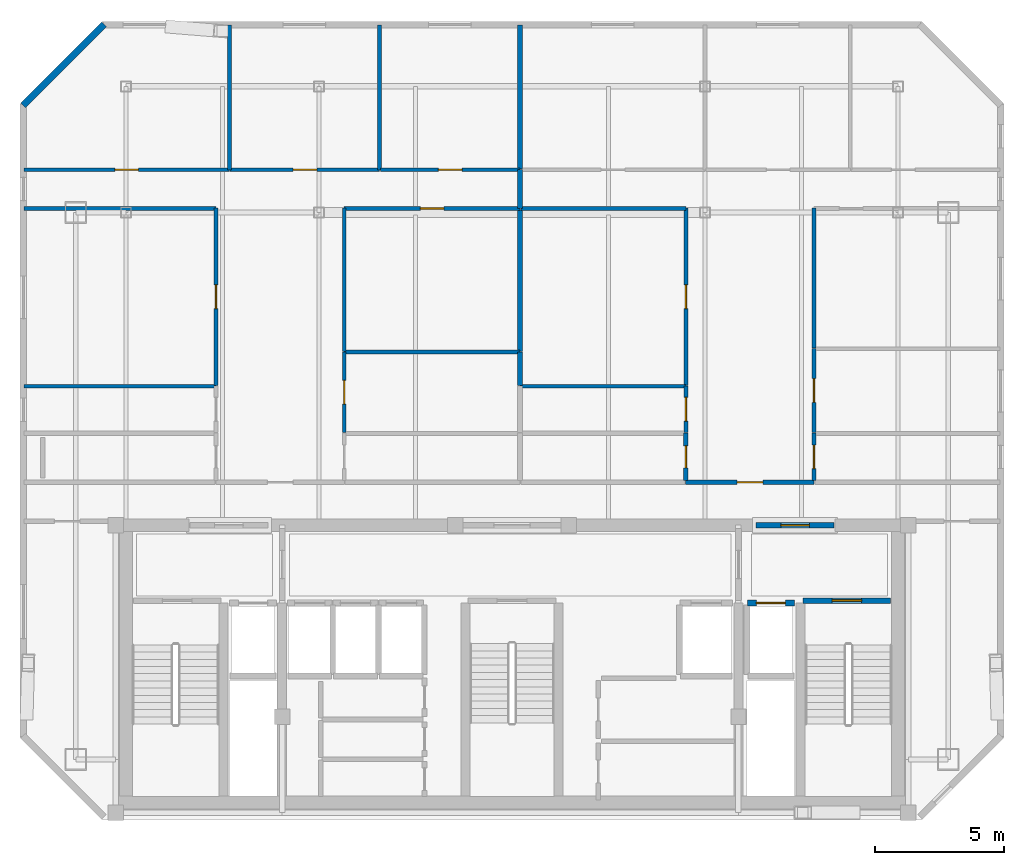
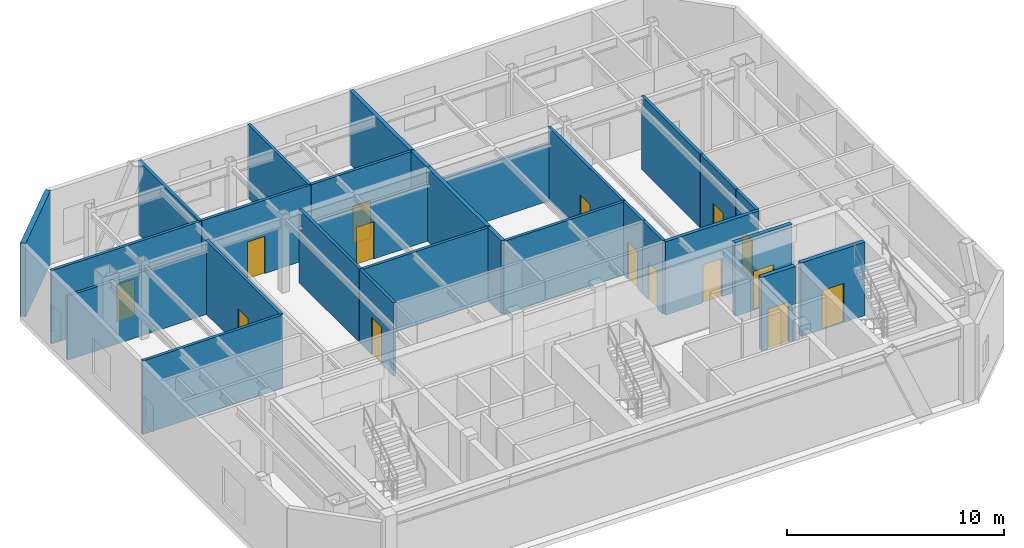
# One storey, part 4 of 7: 29 walls, 15 doors, 15 openings.
"""IFC4 building model written with IfcOpenShell, lengths in metres."""

from ifc_helpers import new_model, si_unit, direction, frame, frame_2d, origin, place, context, subcontext, project, spatial, rectangle, extrude, material, layer, layer_set, type_object, element, fill, save


model = new_model("IFC4")

# Units and contexts
model_context = context("Model", 3, precision=1e-05, world=origin(), true_north=direction((0.0, 1.0)))
body_context = subcontext(model_context, "Body", "Model", "MODEL_VIEW")
ifc_project = project(units=[si_unit("LENGTHUNIT", "METRE"), si_unit("AREAUNIT", "SQUARE_METRE"), si_unit("VOLUMEUNIT", "CUBIC_METRE"), si_unit("PLANEANGLEUNIT", "RADIAN"), si_unit("MASSUNIT", "GRAM", prefix="KILO")], contexts=[model_context])

# Site, building, storey
site_placement = place(None, origin())
site = spatial("IfcSite", under=ifc_project, at=site_placement, CompositionType="ELEMENT")
building_placement = place(site_placement, origin())
building = spatial("IfcBuilding", under=site, at=building_placement, Name="Ventersveld Concourse Tower", CompositionType="ELEMENT")
storey_placement = place(building_placement, frame((0.0, 0.0, 353.449951171875)))
storey = spatial("IfcBuildingStorey", under=building, at=storey_placement, Name="L87", CompositionType="ELEMENT", Elevation=353.449951171875)

# Wall, opening, door
ifc_material_1 = material(Name="Fire-rated autoclaved aerated masonry blockwork", Category="masonry")
ifc_layer_1 = layer(ifc_material_1, 0.179931640625)
ifc_layer_set_1 = layer_set([ifc_layer_1], Name="Fire-rated autoclaved aerated masonry blockwork")
wall_type_1 = type_object("IfcWallType", Name="WL-CORR-180", PredefinedType="PARTITIONING", material=ifc_layer_set_1)
wall_1_placement = place(storey_placement, frame((35.50048828125, 13.114990234375, 0.0), z_axis=(0.0, 0.0, 1.0), x_axis=(1.0, 0.0, 0.0)))
wall_1 = element("IfcWall", 1, at=wall_1_placement, inside=storey, type_object=wall_type_1, Name="L87 Interior Partition SP-L87-COR-SP-L87-87N2-LIV", PredefinedType="PARTITIONING", context=body_context, shape_type="SweptSolid", body=[
    extrude(rectangle(XDim=4.989990234375, YDim=0.179931640625, at=frame_2d((2.4951171875, 0.0))), origin(), (0.0, 0.0, 1.0), 4.14013671875),
])
opening_1_placement = place(wall_1_placement, frame((1.9951171875, 0.0, 0.0)))
opening_1 = element("IfcOpeningElement", 2, at=opening_1_placement, cuts=wall_1, Name="Opening FD3", PredefinedType="OPENING", context=body_context, shape_type="SweptSolid", body=[
    extrude(rectangle(XDim=1.0, YDim=2.14990234375, at=frame_2d((0.5, 1.074951171875))), frame((0.0, 0.10009765625, 0.0), z_axis=(0.0, -1.0, 0.0), x_axis=(1.0, 0.0, 0.0)), (0.0, 0.0, 1.0), 0.199951171875),
])
ifc_material_2 = material(Name="Solid-core hardwood veneer timber", Category="wood")
door_type_1 = type_object("IfcDoorType", Name="DR-FLAT-100", OperationType="NOTDEFINED", PredefinedType="DOOR", material=ifc_material_2)
door_1_placement = place(opening_1_placement, origin())
door_1 = element("IfcDoor", 3, at=door_1_placement, inside=storey, type_object=door_type_1, Name="L87 Interior Door SP-L87-COR to SP-L87-87N2-LIV (FD-L87-3880)", OperationType="SINGLE_SWING_RIGHT", OverallHeight=2.14990234375, OverallWidth=1.0, PredefinedType="DOOR", context=body_context, shape_type="SweptSolid", body=[
    extrude(rectangle(XDim=1.0, YDim=2.14990234375, at=frame_2d((0.5, 1.074951171875))), frame((0.0, 0.02490234375, 0.0), z_axis=(0.0, -1.0, 0.0), x_axis=(1.0, 0.0, 0.0)), (0.0, 0.0, 1.0), 0.050048828125),
])
fill(opening_1, door_1)

# Walls
ifc_layer_2 = layer(ifc_material_1, 0.199951171875)
ifc_layer_set_2 = layer_set([ifc_layer_2], Name="Fire-rated autoclaved aerated masonry blockwork")
wall_type_2 = type_object("IfcWallType", Name="WL-DEMISE-200", PredefinedType="PARTITIONING", material=ifc_layer_set_2)
wall_2_placement = place(storey_placement, frame((29.06201171875, 23.756103515625, 0.0), z_axis=(0.0, 0.0, 1.0), x_axis=(0.0, 1.0, 0.0)))
element("IfcWall", 4, at=wall_2_placement, inside=storey, type_object=wall_type_2, Name="L87 Interior Partition SP-L87-87N1-LIV-SP-L87-87N2-LIV", PredefinedType="PARTITIONING", context=body_context, shape_type="SweptSolid", body=[
    extrude(rectangle(XDim=1.510009765625, YDim=0.199951171875, at=frame_2d((0.7548828125, 0.0))), origin(), (0.0, 0.0, 1.0), 4.14013671875),
])
wall_3_placement = place(storey_placement, frame((29.06201171875, 16.885009765625, 0.0), z_axis=(0.0, 0.0, 1.0), x_axis=(0.0, 1.0, 0.0)))
element("IfcWall", 5, at=wall_3_placement, inside=storey, type_object=wall_type_2, Name="L87 Interior Partition SP-L87-87N1-MEDR1-SP-L87-87N2-DENL", PredefinedType="PARTITIONING", context=body_context, shape_type="SweptSolid", body=[
    extrude(rectangle(XDim=1.29345703125, YDim=0.199951171875, at=frame_2d((0.646728515625, 0.0))), origin(), (0.0, 0.0, 1.0), 4.14013671875),
])
wall_4_placement = place(storey_placement, frame((29.06201171875, 18.20849609375, 0.0), z_axis=(0.0, 0.0, 1.0), x_axis=(0.0, 1.0, 0.0)))
element("IfcWall", 6, at=wall_4_placement, inside=storey, type_object=wall_type_2, Name="L87 Interior Partition SP-L87-87N1-DENS-SP-L87-87N2-DENL", PredefinedType="PARTITIONING", context=body_context, shape_type="SweptSolid", body=[
    extrude(rectangle(XDim=5.517822265625, YDim=0.199951171875, at=frame_2d((2.7587890625, 0.0))), origin(), (0.0, 0.0, 1.0), 4.14013671875),
])
wall_5_placement = place(storey_placement, frame((29.06201171875, 25.296142578125, 0.0), z_axis=(0.0, 0.0, 1.0), x_axis=(0.0, 1.0, 0.0)))
element("IfcWall", 7, at=wall_5_placement, inside=storey, type_object=wall_type_2, Name="L87 Interior Partition SP-L87-87N1-BR3-SP-L87-87N2-BR1", PredefinedType="PARTITIONING", context=body_context, shape_type="SweptSolid", body=[
    extrude(rectangle(XDim=5.58544921875, YDim=0.199951171875, at=frame_2d((2.792724609375, 0.0))), origin(), (0.0, 0.0, 1.0), 4.14013671875),
])

# Wall, opening, door
ifc_layer_3 = layer(ifc_material_1, 0.219970703125)
ifc_layer_set_3 = layer_set([ifc_layer_3], Name="Fire-rated autoclaved aerated masonry blockwork")
wall_type_3 = type_object("IfcWallType", Name="WL-HOIST-220", PredefinedType="SOLIDWALL", material=ifc_layer_set_3)
wall_6_placement = place(storey_placement, frame((37.89990234375, 8.429931640625, 0.0), z_axis=(0.0, 0.0, 1.0), x_axis=(1.0, 0.0, 0.0)))
wall_6 = element("IfcWall", 8, at=wall_6_placement, inside=storey, type_object=wall_type_3, Name="L87 Lift Hoistway Front Wall FFL-02", PredefinedType="SOLIDWALL", context=body_context, shape_type="SweptSolid", body=[
    extrude(rectangle(XDim=1.820068359375, YDim=0.219970703125, at=frame_2d((0.91015625, 0.0))), origin(), (0.0, 0.0, 1.0), 4.14013671875),
])
opening_2_placement = place(wall_6_placement, frame((0.35009765625, 0.0, 0.0)))
opening_2 = element("IfcOpeningElement", 9, at=opening_2_placement, cuts=wall_6, Name="Opening LD1", PredefinedType="OPENING", context=body_context, shape_type="SweptSolid", body=[
    extrude(rectangle(XDim=1.1201171875, YDim=2.25, at=frame_2d((0.56005859375, 1.125))), frame((0.0, 0.1201171875, 0.0), z_axis=(0.0, -1.0, 0.0), x_axis=(1.0, 0.0, 0.0)), (0.0, 0.0, 1.0), 0.239990234375),
])
ifc_material_3 = material(Name="Brushed stainless steel 316", Category="steel")
door_type_2 = type_object("IfcDoorType", Name="LD-FF-112", OperationType="SLIDING_TO_LEFT", PredefinedType="DOOR", material=ifc_material_3)
door_2_placement = place(opening_2_placement, origin())
door_2 = element("IfcDoor", 10, at=door_2_placement, inside=storey, type_object=door_type_2, Name="L87 Lift landing door FFL-02 (LD-L87-FFL-02)", OperationType="SLIDING_TO_LEFT", OverallHeight=2.25, OverallWidth=1.1201171875, PredefinedType="DOOR", context=body_context, shape_type="SweptSolid", body=[
    extrude(rectangle(XDim=1.1201171875, YDim=2.25, at=frame_2d((0.56005859375, 1.125))), frame((0.0, 0.02490234375, 0.0), z_axis=(0.0, -1.0, 0.0), x_axis=(1.0, 0.0, 0.0)), (0.0, 0.0, 1.0), 0.050048828125),
])
fill(opening_2, door_2)

wall_7_placement = place(storey_placement, frame((40.06005859375, 8.52001953125, 0.0), z_axis=(0.0, 0.0, 1.0), x_axis=(1.0, 0.0, 0.0)))
wall_7 = element("IfcWall", 11, at=wall_7_placement, inside=storey, type_object=wall_type_3, Name="L87 Escape Stair ST02 Fire Wall", PredefinedType="SOLIDWALL", context=body_context, shape_type="SweptSolid", body=[
    extrude(rectangle(XDim=3.39990234375, YDim=0.219970703125, at=frame_2d((1.699951171875, 0.0))), origin(), (0.0, 0.0, 1.0), 4.14013671875),
])
opening_3_placement = place(wall_7_placement, frame((1.125, 0.0, 0.0)))
opening_3 = element("IfcOpeningElement", 12, at=opening_3_placement, cuts=wall_7, Name="Opening FD1", PredefinedType="OPENING", context=body_context, shape_type="SweptSolid", body=[
    extrude(rectangle(XDim=1.14990234375, YDim=2.199951171875, at=frame_2d((0.574951171875, 1.10009765625))), frame((0.0, 0.1201171875, 0.0), z_axis=(0.0, -1.0, 0.0), x_axis=(1.0, 0.0, 0.0)), (0.0, 0.0, 1.0), 0.239990234375),
])
ifc_material_4 = material(Name="Galvanised painted steel", Category="steel")
door_type_3 = type_object("IfcDoorType", Name="DR-STAIR-115", OperationType="NOTDEFINED", PredefinedType="DOOR", material=ifc_material_4)
door_3_placement = place(opening_3_placement, origin())
door_3 = element("IfcDoor", 13, at=door_3_placement, inside=storey, type_object=door_type_3, Name="L87 Escape Stair Door ST02 (SD-L87-3865)", OperationType="SINGLE_SWING_RIGHT", OverallHeight=2.199951171875, OverallWidth=1.14990234375, PredefinedType="DOOR", context=body_context, shape_type="SweptSolid", body=[
    extrude(rectangle(XDim=1.14990234375, YDim=2.199951171875, at=frame_2d((0.574951171875, 1.10009765625))), frame((0.0, 0.02490234375, 0.0), z_axis=(0.0, -1.0, 0.0), x_axis=(1.0, 0.0, 0.0)), (0.0, 0.0, 1.0), 0.050048828125),
])
fill(opening_3, door_3)

wall_8_placement = place(storey_placement, frame((38.22998046875, 11.449951171875, 0.0), z_axis=(0.0, 0.0, 1.0), x_axis=(1.0, 0.0, 0.0)))
wall_8 = element("IfcWall", 14, at=wall_8_placement, inside=storey, type_object=wall_type_3, Name="L87 Core North Fire Portal FFLE-OUT", PredefinedType="SOLIDWALL", context=body_context, shape_type="SweptSolid", body=[
    extrude(rectangle(XDim=3.0400390625, YDim=0.219970703125, at=frame_2d((1.52001953125, 0.0))), origin(), (0.0, 0.0, 1.0), 4.14013671875),
])
opening_4_placement = place(wall_8_placement, frame((0.969970703125, 0.0, 0.0)))
opening_4 = element("IfcOpeningElement", 15, at=opening_4_placement, cuts=wall_8, Name="Opening FD2", PredefinedType="OPENING", context=body_context, shape_type="SweptSolid", body=[
    extrude(rectangle(XDim=1.10009765625, YDim=2.199951171875, at=frame_2d((0.550048828125, 1.10009765625))), frame((0.0, 0.1201171875, 0.0), z_axis=(0.0, -1.0, 0.0), x_axis=(1.0, 0.0, 0.0)), (0.0, 0.0, 1.0), 0.239990234375),
])
door_type_4 = type_object("IfcDoorType", Name="DR-FFL-110", OperationType="NOTDEFINED", PredefinedType="DOOR", material=ifc_material_4)
door_4_placement = place(opening_4_placement, origin())
door_4 = element("IfcDoor", 16, at=door_4_placement, inside=storey, type_object=door_type_4, Name="L87 Core Lobby Fire Door FFLE-OUT (FD-L87-3871)", OperationType="SINGLE_SWING_LEFT", OverallHeight=2.199951171875, OverallWidth=1.10009765625, PredefinedType="DOOR", context=body_context, shape_type="SweptSolid", body=[
    extrude(rectangle(XDim=1.10009765625, YDim=2.199951171875, at=frame_2d((0.550048828125, 1.10009765625))), frame((0.0, 0.02490234375, 0.0), z_axis=(0.0, -1.0, 0.0), x_axis=(1.0, 0.0, 0.0)), (0.0, 0.0, 1.0), 0.050048828125),
])
fill(opening_4, door_4)

ifc_material_5 = material(Name="Autoclaved aerated masonry blockwork", Category="masonry")
ifc_layer_4 = layer(ifc_material_5, 0.14990234375)
ifc_layer_set_4 = layer_set([ifc_layer_4], Name="Autoclaved aerated masonry blockwork")
wall_type_4 = type_object("IfcWallType", Name="WL-INT-150", PredefinedType="PARTITIONING", material=ifc_layer_set_4)
wall_9_placement = place(storey_placement, frame((17.25244140625, 16.885009765625, 0.0), z_axis=(0.0, 0.0, 1.0), x_axis=(0.0, 1.0, 0.0)))
wall_9 = element("IfcWall", 17, at=wall_9_placement, inside=storey, type_object=wall_type_4, Name="L87 Interior Partition SP-L87-87N1-LIV-SP-L87-87N1-DENL", PredefinedType="PARTITIONING", context=body_context, shape_type="SweptSolid", body=[
    extrude(rectangle(XDim=6.881103515625, YDim=0.14990234375, at=frame_2d((3.4404296875, 0.0))), origin(), (0.0, 0.0, 1.0), 4.14013671875),
])
opening_5_placement = place(wall_9_placement, frame((2.980712890625, 0.0, 0.0)))
opening_5 = element("IfcOpeningElement", 18, at=opening_5_placement, cuts=wall_9, Name="Opening ID1", PredefinedType="OPENING", context=body_context, shape_type="SweptSolid", body=[
    extrude(rectangle(XDim=0.919921875, YDim=2.10009765625, at=frame_2d((0.4599609375, 1.050048828125))), frame((0.0, 0.0849609375, 0.0), z_axis=(0.0, -1.0, 0.0), x_axis=(1.0, 0.0, 0.0)), (0.0, 0.0, 1.0), 0.169921875),
])
door_type_5 = type_object("IfcDoorType", Name="DR-ROOM-092", OperationType="NOTDEFINED", PredefinedType="DOOR", material=ifc_material_2)
door_5_placement = place(opening_5_placement, origin())
door_5 = element("IfcDoor", 19, at=door_5_placement, inside=storey, type_object=door_type_5, Name="L87 Interior Door SP-L87-87N1-LIV to SP-L87-87N1-DENL (D-L87-3883)", OperationType="SINGLE_SWING_LEFT", OverallHeight=2.10009765625, OverallWidth=0.919921875, PredefinedType="DOOR", context=body_context, shape_type="SweptSolid", body=[
    extrude(rectangle(XDim=0.919921875, YDim=2.10009765625, at=frame_2d((0.4599609375, 1.050048828125))), frame((0.0, 0.02490234375, 0.0), z_axis=(0.0, -1.0, 0.0), x_axis=(1.0, 0.0, 0.0)), (0.0, 0.0, 1.0), 0.050048828125),
])
fill(opening_5, door_5)

# Wall
wall_10_placement = place(storey_placement, frame((9.7822265625, 23.76123046875, 0.0), z_axis=(0.0, 0.0, 1.0), x_axis=(1.0, 0.0, 0.0)))
element("IfcWall", 20, at=wall_10_placement, inside=storey, type_object=wall_type_4, Name="L87 Interior Partition SP-L87-87N1-LIV-SP-L87-87N1-DENL", PredefinedType="PARTITIONING", context=body_context, shape_type="SweptSolid", body=[
    extrude(rectangle(XDim=7.475341796875, YDim=0.14990234375, at=frame_2d((3.73779296875, 0.0))), origin(), (0.0, 0.0, 1.0), 3.60693359375),
])

# Wall, opening, door
wall_11_placement = place(storey_placement, frame((22.232421875, 15.054931640625, 0.0), z_axis=(0.0, 0.0, 1.0), x_axis=(0.0, 1.0, 0.0)))
wall_11 = element("IfcWall", 21, at=wall_11_placement, inside=storey, type_object=wall_type_4, Name="L87 Interior Partition SP-L87-87N1-LIV-SP-L87-87N1-MEDR1", PredefinedType="PARTITIONING", context=body_context, shape_type="SweptSolid", body=[
    extrude(rectangle(XDim=3.12353515625, YDim=0.14990234375, at=frame_2d((1.561767578125, 0.0))), origin(), (0.0, 0.0, 1.0), 4.14013671875),
])
opening_6_placement = place(wall_11_placement, frame((1.101806640625, 0.0, 0.0)))
opening_6 = element("IfcOpeningElement", 22, at=opening_6_placement, cuts=wall_11, Name="Opening ID1", PredefinedType="OPENING", context=body_context, shape_type="SweptSolid", body=[
    extrude(rectangle(XDim=0.919921875, YDim=2.10009765625, at=frame_2d((0.4599609375, 1.050048828125))), frame((0.0, 0.0849609375, 0.0), z_axis=(0.0, -1.0, 0.0), x_axis=(1.0, 0.0, 0.0)), (0.0, 0.0, 1.0), 0.169921875),
])
door_6_placement = place(opening_6_placement, origin())
door_6 = element("IfcDoor", 23, at=door_6_placement, inside=storey, type_object=door_type_5, Name="L87 Interior Door SP-L87-87N1-LIV to SP-L87-87N1-MEDR1 (D-L87-3885)", OperationType="SINGLE_SWING_LEFT", OverallHeight=2.10009765625, OverallWidth=0.919921875, PredefinedType="DOOR", context=body_context, shape_type="SweptSolid", body=[
    extrude(rectangle(XDim=0.919921875, YDim=2.10009765625, at=frame_2d((0.4599609375, 1.050048828125))), frame((0.0, 0.02490234375, 0.0), z_axis=(0.0, -1.0, 0.0), x_axis=(1.0, 0.0, 0.0)), (0.0, 0.0, 1.0), 0.050048828125),
])
fill(opening_6, door_6)

wall_12_placement = place(storey_placement, frame((22.2275390625, 23.76123046875, 0.0), z_axis=(0.0, 0.0, 1.0), x_axis=(1.0, 0.0, 0.0)))
wall_12 = element("IfcWall", 24, at=wall_12_placement, inside=storey, type_object=wall_type_4, Name="L87 Interior Partition SP-L87-87N1-LIV-SP-L87-87N1-DENS", PredefinedType="PARTITIONING", context=body_context, shape_type="SweptSolid", body=[
    extrude(rectangle(XDim=6.839599609375, YDim=0.14990234375, at=frame_2d((3.419921875, 0.0))), origin(), (0.0, 0.0, 1.0), 3.239990234375),
])
opening_7_placement = place(wall_12_placement, frame((2.959716796875, 0.0, 0.0)))
opening_7 = element("IfcOpeningElement", 25, at=opening_7_placement, cuts=wall_12, Name="Opening ID1", PredefinedType="OPENING", context=body_context, shape_type="SweptSolid", body=[
    extrude(rectangle(XDim=0.919921875, YDim=2.10009765625, at=frame_2d((0.4599609375, 1.050048828125))), frame((0.0, 0.0849609375, 0.0), z_axis=(0.0, -1.0, 0.0), x_axis=(1.0, 0.0, 0.0)), (0.0, 0.0, 1.0), 0.169921875),
])
door_7_placement = place(opening_7_placement, origin())
door_7 = element("IfcDoor", 26, at=door_7_placement, inside=storey, type_object=door_type_5, Name="L87 Interior Door SP-L87-87N1-LIV to SP-L87-87N1-DENS (D-L87-3886)", OperationType="SINGLE_SWING_RIGHT", OverallHeight=2.10009765625, OverallWidth=0.919921875, PredefinedType="DOOR", context=body_context, shape_type="SweptSolid", body=[
    extrude(rectangle(XDim=0.919921875, YDim=2.10009765625, at=frame_2d((0.4599609375, 1.050048828125))), frame((0.0, 0.02490234375, 0.0), z_axis=(0.0, -1.0, 0.0), x_axis=(1.0, 0.0, 0.0)), (0.0, 0.0, 1.0), 0.050048828125),
])
fill(opening_7, door_7)

# Wall
wall_13_placement = place(storey_placement, frame((22.232421875, 18.20849609375, 0.0), z_axis=(0.0, 0.0, 1.0), x_axis=(0.0, 1.0, 0.0)))
element("IfcWall", 27, at=wall_13_placement, inside=storey, type_object=wall_type_4, Name="L87 Interior Partition SP-L87-87N1-LIV-SP-L87-87N1-DENS", PredefinedType="PARTITIONING", context=body_context, shape_type="SweptSolid", body=[
    extrude(rectangle(XDim=5.5576171875, YDim=0.14990234375, at=frame_2d((2.77880859375, 0.0))), origin(), (0.0, 0.0, 1.0), 4.14013671875),
])

# Wall, opening, door
wall_14_placement = place(storey_placement, frame((9.7822265625, 25.26123046875, 0.0), z_axis=(0.0, 0.0, 1.0), x_axis=(1.0, 0.0, 0.0)))
wall_14 = element("IfcWall", 28, at=wall_14_placement, inside=storey, type_object=wall_type_4, Name="L87 Interior Partition SP-L87-87N1-LIV-SP-L87-87N1-BR1", PredefinedType="PARTITIONING", context=body_context, shape_type="SweptSolid", body=[
    extrude(rectangle(XDim=7.989990234375, YDim=0.14990234375, at=frame_2d((3.9951171875, 0.0))), origin(), (0.0, 0.0, 1.0), 4.14013671875),
])
opening_8_placement = place(wall_14_placement, frame((3.534912109375, 0.0, 0.0)))
opening_8 = element("IfcOpeningElement", 29, at=opening_8_placement, cuts=wall_14, Name="Opening ID1", PredefinedType="OPENING", context=body_context, shape_type="SweptSolid", body=[
    extrude(rectangle(XDim=0.919921875, YDim=2.10009765625, at=frame_2d((0.4599609375, 1.050048828125))), frame((0.0, 0.0849609375, 0.0), z_axis=(0.0, -1.0, 0.0), x_axis=(1.0, 0.0, 0.0)), (0.0, 0.0, 1.0), 0.169921875),
])
door_8_placement = place(opening_8_placement, origin())
door_8 = element("IfcDoor", 30, at=door_8_placement, inside=storey, type_object=door_type_5, Name="L87 Interior Door SP-L87-87N1-LIV to SP-L87-87N1-BR1 (D-L87-3887)", OperationType="SINGLE_SWING_LEFT", OverallHeight=2.10009765625, OverallWidth=0.919921875, PredefinedType="DOOR", context=body_context, shape_type="SweptSolid", body=[
    extrude(rectangle(XDim=0.919921875, YDim=2.10009765625, at=frame_2d((0.4599609375, 1.050048828125))), frame((0.0, 0.02490234375, 0.0), z_axis=(0.0, -1.0, 0.0), x_axis=(1.0, 0.0, 0.0)), (0.0, 0.0, 1.0), 0.050048828125),
])
fill(opening_8, door_8)

wall_15_placement = place(storey_placement, frame((17.802001953125, 25.26123046875, 0.0), z_axis=(0.0, 0.0, 1.0), x_axis=(1.0, 0.0, 0.0)))
wall_15 = element("IfcWall", 31, at=wall_15_placement, inside=storey, type_object=wall_type_4, Name="L87 Interior Partition SP-L87-87N1-LIV-SP-L87-87N1-BR2", PredefinedType="PARTITIONING", context=body_context, shape_type="SweptSolid", body=[
    extrude(rectangle(XDim=5.80615234375, YDim=0.14990234375, at=frame_2d((2.903076171875, 0.0))), origin(), (0.0, 0.0, 1.0), 4.14013671875),
])
opening_9_placement = place(wall_15_placement, frame((2.443115234375, 0.0, 0.0)))
opening_9 = element("IfcOpeningElement", 32, at=opening_9_placement, cuts=wall_15, Name="Opening ID1", PredefinedType="OPENING", context=body_context, shape_type="SweptSolid", body=[
    extrude(rectangle(XDim=0.919921875, YDim=2.10009765625, at=frame_2d((0.4599609375, 1.050048828125))), frame((0.0, 0.0849609375, 0.0), z_axis=(0.0, -1.0, 0.0), x_axis=(1.0, 0.0, 0.0)), (0.0, 0.0, 1.0), 0.169921875),
])
door_9_placement = place(opening_9_placement, origin())
door_9 = element("IfcDoor", 33, at=door_9_placement, inside=storey, type_object=door_type_5, Name="L87 Interior Door SP-L87-87N1-LIV to SP-L87-87N1-BR2 (D-L87-3888)", OperationType="SINGLE_SWING_RIGHT", OverallHeight=2.10009765625, OverallWidth=0.919921875, PredefinedType="DOOR", context=body_context, shape_type="SweptSolid", body=[
    extrude(rectangle(XDim=0.919921875, YDim=2.10009765625, at=frame_2d((0.4599609375, 1.050048828125))), frame((0.0, 0.02490234375, 0.0), z_axis=(0.0, -1.0, 0.0), x_axis=(1.0, 0.0, 0.0)), (0.0, 0.0, 1.0), 0.050048828125),
])
fill(opening_9, door_9)

wall_16_placement = place(storey_placement, frame((23.63818359375, 25.26123046875, 0.0), z_axis=(0.0, 0.0, 1.0), x_axis=(1.0, 0.0, 0.0)))
wall_16 = element("IfcWall", 34, at=wall_16_placement, inside=storey, type_object=wall_type_4, Name="L87 Interior Partition SP-L87-87N1-LIV-SP-L87-87N1-BR3", PredefinedType="PARTITIONING", context=body_context, shape_type="SweptSolid", body=[
    extrude(rectangle(XDim=5.428955078125, YDim=0.14990234375, at=frame_2d((2.71435546875, 0.0))), origin(), (0.0, 0.0, 1.0), 4.14013671875),
])
opening_10_placement = place(wall_16_placement, frame((2.25439453125, 0.0, 0.0)))
opening_10 = element("IfcOpeningElement", 35, at=opening_10_placement, cuts=wall_16, Name="Opening ID1", PredefinedType="OPENING", context=body_context, shape_type="SweptSolid", body=[
    extrude(rectangle(XDim=0.919921875, YDim=2.10009765625, at=frame_2d((0.4599609375, 1.050048828125))), frame((0.0, 0.0849609375, 0.0), z_axis=(0.0, -1.0, 0.0), x_axis=(1.0, 0.0, 0.0)), (0.0, 0.0, 1.0), 0.169921875),
])
door_10_placement = place(opening_10_placement, origin())
door_10 = element("IfcDoor", 36, at=door_10_placement, inside=storey, type_object=door_type_5, Name="L87 Interior Door SP-L87-87N1-LIV to SP-L87-87N1-BR3 (D-L87-3889)", OperationType="SINGLE_SWING_LEFT", OverallHeight=2.10009765625, OverallWidth=0.919921875, PredefinedType="DOOR", context=body_context, shape_type="SweptSolid", body=[
    extrude(rectangle(XDim=0.919921875, YDim=2.10009765625, at=frame_2d((0.4599609375, 1.050048828125))), frame((0.0, 0.02490234375, 0.0), z_axis=(0.0, -1.0, 0.0), x_axis=(1.0, 0.0, 0.0)), (0.0, 0.0, 1.0), 0.050048828125),
])
fill(opening_10, door_10)

# Walls
wall_17_placement = place(storey_placement, frame((9.7822265625, 16.85009765625, 0.0), z_axis=(0.0, 0.0, 1.0), x_axis=(1.0, 0.0, 0.0)))
element("IfcWall", 37, at=wall_17_placement, inside=storey, type_object=wall_type_4, Name="L87 Interior Partition SP-L87-87N1-PANL0-SP-L87-87N1-DENL", PredefinedType="PARTITIONING", context=body_context, shape_type="SweptSolid", body=[
    extrude(rectangle(XDim=7.475341796875, YDim=0.14990234375, at=frame_2d((3.73779296875, 0.0))), origin(), (0.0, 0.0, 1.0), 4.14013671875),
])
wall_18_placement = place(storey_placement, frame((22.2275390625, 18.17333984375, 0.0), z_axis=(0.0, 0.0, 1.0), x_axis=(1.0, 0.0, 0.0)))
element("IfcWall", 38, at=wall_18_placement, inside=storey, type_object=wall_type_4, Name="L87 Interior Partition SP-L87-87N1-MEDR1-SP-L87-87N1-DENS", PredefinedType="PARTITIONING", context=body_context, shape_type="SweptSolid", body=[
    extrude(rectangle(XDim=6.839599609375, YDim=0.14990234375, at=frame_2d((3.419921875, 0.0))), origin(), (0.0, 0.0, 1.0), 4.14013671875),
])
for number, where, z_axis, x_axis, name in (
    (39, (17.76708984375, 25.256103515625, 0.0), (0.0, 0.0, 1.0), (0.0, 1.0, 0.0), "L87 Interior Partition SP-L87-87N1-BR1-SP-L87-87N1-BR2"),
    (40, (23.60302734375, 25.256103515625, 0.0), (0.0, 0.0, 1.0), (0.0, 1.0, 0.0), "L87 Interior Partition SP-L87-87N1-BR2-SP-L87-87N1-BR3"),
):
    element("IfcWall", number, at=place(storey_placement, frame(where, z_axis=z_axis, x_axis=x_axis)), inside=storey, type_object=wall_type_4, Name=name, PredefinedType="PARTITIONING", context=body_context, shape_type="SweptSolid", body=[
        extrude(rectangle(XDim=5.62548828125, YDim=0.14990234375, at=frame_2d((2.812744140625, 0.0))), origin(), (0.0, 0.0, 1.0), 4.14013671875),
    ])

# Wall, opening, door
wall_19_placement = place(storey_placement, frame((35.505615234375, 15.054931640625, 0.0), z_axis=(0.0, 0.0, 1.0), x_axis=(0.0, 1.0, 0.0)))
wall_19 = element("IfcWall", 41, at=wall_19_placement, inside=storey, type_object=wall_type_4, Name="L87 Interior Partition SP-L87-87N2-LIV-SP-L87-87N2-PANL0", PredefinedType="PARTITIONING", context=body_context, shape_type="SweptSolid", body=[
    extrude(rectangle(XDim=1.800048828125, YDim=0.14990234375, at=frame_2d((0.89990234375, 0.0))), origin(), (0.0, 0.0, 1.0), 4.14013671875),
])
opening_11_placement = place(wall_19_placement, frame((0.43994140625, 0.0, 0.0)))
opening_11 = element("IfcOpeningElement", 42, at=opening_11_placement, cuts=wall_19, Name="Opening ID1", PredefinedType="OPENING", context=body_context, shape_type="SweptSolid", body=[
    extrude(rectangle(XDim=0.919921875, YDim=2.10009765625, at=frame_2d((0.4599609375, 1.050048828125))), frame((0.0, 0.0849609375, 0.0), z_axis=(0.0, -1.0, 0.0), x_axis=(1.0, 0.0, 0.0)), (0.0, 0.0, 1.0), 0.169921875),
])
door_11_placement = place(opening_11_placement, origin())
door_11 = element("IfcDoor", 43, at=door_11_placement, inside=storey, type_object=door_type_5, Name="L87 Interior Door SP-L87-87N2-LIV to SP-L87-87N2-PANL0 (D-L87-3891)", OperationType="SINGLE_SWING_LEFT", OverallHeight=2.10009765625, OverallWidth=0.919921875, PredefinedType="DOOR", context=body_context, shape_type="SweptSolid", body=[
    extrude(rectangle(XDim=0.919921875, YDim=2.10009765625, at=frame_2d((0.4599609375, 1.050048828125))), frame((0.0, 0.02490234375, 0.0), z_axis=(0.0, -1.0, 0.0), x_axis=(1.0, 0.0, 0.0)), (0.0, 0.0, 1.0), 0.050048828125),
])
fill(opening_11, door_11)

wall_20_placement = place(storey_placement, frame((35.505615234375, 16.885009765625, 0.0), z_axis=(0.0, 0.0, 1.0), x_axis=(0.0, 1.0, 0.0)))
wall_20 = element("IfcWall", 44, at=wall_20_placement, inside=storey, type_object=wall_type_4, Name="L87 Interior Partition SP-L87-87N2-LIV-SP-L87-87N2-DENL", PredefinedType="PARTITIONING", context=body_context, shape_type="SweptSolid", body=[
    extrude(rectangle(XDim=6.881103515625, YDim=0.14990234375, at=frame_2d((3.4404296875, 0.0))), origin(), (0.0, 0.0, 1.0), 4.14013671875),
])
opening_12_placement = place(wall_20_placement, frame((2.980712890625, 0.0, 0.0)))
opening_12 = element("IfcOpeningElement", 45, at=opening_12_placement, cuts=wall_20, Name="Opening ID1", PredefinedType="OPENING", context=body_context, shape_type="SweptSolid", body=[
    extrude(rectangle(XDim=0.919921875, YDim=2.10009765625, at=frame_2d((0.4599609375, 1.050048828125))), frame((0.0, 0.0849609375, 0.0), z_axis=(0.0, -1.0, 0.0), x_axis=(1.0, 0.0, 0.0)), (0.0, 0.0, 1.0), 0.169921875),
])
door_12_placement = place(opening_12_placement, origin())
door_12 = element("IfcDoor", 46, at=door_12_placement, inside=storey, type_object=door_type_5, Name="L87 Interior Door SP-L87-87N2-LIV to SP-L87-87N2-DENL (D-L87-3892)", OperationType="SINGLE_SWING_RIGHT", OverallHeight=2.10009765625, OverallWidth=0.919921875, PredefinedType="DOOR", context=body_context, shape_type="SweptSolid", body=[
    extrude(rectangle(XDim=0.919921875, YDim=2.10009765625, at=frame_2d((0.4599609375, 1.050048828125))), frame((0.0, 0.02490234375, 0.0), z_axis=(0.0, -1.0, 0.0), x_axis=(1.0, 0.0, 0.0)), (0.0, 0.0, 1.0), 0.050048828125),
])
fill(opening_12, door_12)

# Wall
wall_21_placement = place(storey_placement, frame((29.09716796875, 23.76123046875, 0.0), z_axis=(0.0, 0.0, 1.0), x_axis=(1.0, 0.0, 0.0)))
element("IfcWall", 47, at=wall_21_placement, inside=storey, type_object=wall_type_4, Name="L87 Interior Partition SP-L87-87N2-LIV-SP-L87-87N2-DENL", PredefinedType="PARTITIONING", context=body_context, shape_type="SweptSolid", body=[
    extrude(rectangle(XDim=6.413330078125, YDim=0.14990234375, at=frame_2d((3.20654296875, 0.0))), origin(), (0.0, 0.0, 1.0), 3.239990234375),
])

# Wall, opening, door
wall_22_placement = place(storey_placement, frame((40.485595703125, 13.18505859375, 0.0), z_axis=(0.0, 0.0, 1.0), x_axis=(0.0, 1.0, 0.0)))
wall_22 = element("IfcWall", 48, at=wall_22_placement, inside=storey, type_object=wall_type_4, Name="L87 Interior Partition SP-L87-87N2-LIV-SP-L87-87N2-KIT", PredefinedType="PARTITIONING", context=body_context, shape_type="SweptSolid", body=[
    extrude(rectangle(XDim=1.83984375, YDim=0.14990234375, at=frame_2d((0.919921875, 0.0))), origin(), (0.0, 0.0, 1.0), 4.14013671875),
])
opening_13_placement = place(wall_22_placement, frame((0.4599609375, 0.0, 0.0)))
opening_13 = element("IfcOpeningElement", 49, at=opening_13_placement, cuts=wall_22, Name="Opening ID1", PredefinedType="OPENING", context=body_context, shape_type="SweptSolid", body=[
    extrude(rectangle(XDim=0.919921875, YDim=2.10009765625, at=frame_2d((0.4599609375, 1.050048828125))), frame((0.0, 0.0849609375, 0.0), z_axis=(0.0, -1.0, 0.0), x_axis=(1.0, 0.0, 0.0)), (0.0, 0.0, 1.0), 0.169921875),
])
door_13_placement = place(opening_13_placement, origin())
door_13 = element("IfcDoor", 50, at=door_13_placement, inside=storey, type_object=door_type_5, Name="L87 Interior Door SP-L87-87N2-LIV to SP-L87-87N2-KIT (D-L87-3893)", OperationType="SINGLE_SWING_LEFT", OverallHeight=2.10009765625, OverallWidth=0.919921875, PredefinedType="DOOR", context=body_context, shape_type="SweptSolid", body=[
    extrude(rectangle(XDim=0.919921875, YDim=2.10009765625, at=frame_2d((0.4599609375, 1.050048828125))), frame((0.0, 0.02490234375, 0.0), z_axis=(0.0, -1.0, 0.0), x_axis=(1.0, 0.0, 0.0)), (0.0, 0.0, 1.0), 0.050048828125),
])
fill(opening_13, door_13)

wall_23_placement = place(storey_placement, frame((40.485595703125, 15.054931640625, 0.0), z_axis=(0.0, 0.0, 1.0), x_axis=(0.0, 1.0, 0.0)))
wall_23 = element("IfcWall", 51, at=wall_23_placement, inside=storey, type_object=wall_type_4, Name="L87 Interior Partition SP-L87-87N2-LIV-SP-L87-87N2-MEDR1", PredefinedType="PARTITIONING", context=body_context, shape_type="SweptSolid", body=[
    extrude(rectangle(XDim=3.257568359375, YDim=0.14990234375, at=frame_2d((1.62890625, 0.0))), origin(), (0.0, 0.0, 1.0), 4.14013671875),
])
opening_14_placement = place(wall_23_placement, frame((1.168701171875, 0.0, 0.0)))
opening_14 = element("IfcOpeningElement", 52, at=opening_14_placement, cuts=wall_23, Name="Opening ID1", PredefinedType="OPENING", context=body_context, shape_type="SweptSolid", body=[
    extrude(rectangle(XDim=0.919921875, YDim=2.10009765625, at=frame_2d((0.4599609375, 1.050048828125))), frame((0.0, 0.0849609375, 0.0), z_axis=(0.0, -1.0, 0.0), x_axis=(1.0, 0.0, 0.0)), (0.0, 0.0, 1.0), 0.169921875),
])
door_14_placement = place(opening_14_placement, origin())
door_14 = element("IfcDoor", 53, at=door_14_placement, inside=storey, type_object=door_type_5, Name="L87 Interior Door SP-L87-87N2-LIV to SP-L87-87N2-MEDR1 (D-L87-3894)", OperationType="SINGLE_SWING_RIGHT", OverallHeight=2.10009765625, OverallWidth=0.919921875, PredefinedType="DOOR", context=body_context, shape_type="SweptSolid", body=[
    extrude(rectangle(XDim=0.919921875, YDim=2.10009765625, at=frame_2d((0.4599609375, 1.050048828125))), frame((0.0, 0.02490234375, 0.0), z_axis=(0.0, -1.0, 0.0), x_axis=(1.0, 0.0, 0.0)), (0.0, 0.0, 1.0), 0.050048828125),
])
fill(opening_14, door_14)

# Walls
wall_24_placement = place(storey_placement, frame((40.485595703125, 18.342529296875, 0.0), z_axis=(0.0, 0.0, 1.0), x_axis=(0.0, 1.0, 0.0)))
element("IfcWall", 54, at=wall_24_placement, inside=storey, type_object=wall_type_4, Name="L87 Interior Partition SP-L87-87N2-LIV-SP-L87-87N2-DENS", PredefinedType="PARTITIONING", context=body_context, shape_type="SweptSolid", body=[
    extrude(rectangle(XDim=5.423583984375, YDim=0.14990234375, at=frame_2d((2.7119140625, 0.0))), origin(), (0.0, 0.0, 1.0), 4.14013671875),
])
wall_25_placement = place(storey_placement, frame((29.05712890625, 16.85009765625, 0.0), z_axis=(0.0, 0.0, 1.0), x_axis=(1.0, 0.0, 0.0)))
element("IfcWall", 55, at=wall_25_placement, inside=storey, type_object=wall_type_4, Name="L87 Interior Partition SP-L87-87N2-PANL0-SP-L87-87N2-DENL", PredefinedType="PARTITIONING", context=body_context, shape_type="SweptSolid", body=[
    extrude(rectangle(XDim=6.453369140625, YDim=0.14990234375, at=frame_2d((3.2265625, 0.0))), origin(), (0.0, 0.0, 1.0), 4.14013671875),
])
ifc_material_6 = material(Name="Precast concrete C45/55", Category="concrete")
ifc_layer_5 = layer(ifc_material_6, 0.260009765625)
ifc_layer_set_5 = layer_set([ifc_layer_5], Name="Precast concrete C45/55")
wall_type_5 = type_object("IfcWallType", Name="WL-PREC-260", PredefinedType="SOLIDWALL", material=ifc_layer_set_5)
wall_26_placement = place(storey_placement, frame((12.896484375, 30.910888671875, 0.0), z_axis=(0.0, 0.0, 1.0), x_axis=(-0.707134240044, -0.707079321262, 0.0)))
element("IfcWall", 56, at=wall_26_placement, inside=storey, type_object=wall_type_5, Name="L87 Highveld Precast Facade Wall E06", PredefinedType="SOLIDWALL", context=body_context, shape_type="SweptSolid", body=[
    extrude(rectangle(XDim=4.445556640625, YDim=0.260009765625, at=frame_2d((2.22265625, 0.0))), origin(), (0.0, 0.0, 1.0), 4.14013671875),
])

# Wall, opening, door
ifc_layer_6 = layer(ifc_material_5, 0.1650390625)
ifc_layer_set_6 = layer_set([ifc_layer_6], Name="Autoclaved aerated masonry blockwork")
wall_type_6 = type_object("IfcWallType", Name="WL-WET-165", PredefinedType="PLUMBINGWALL", material=ifc_layer_set_6)
wall_27_placement = place(storey_placement, frame((35.505615234375, 13.18505859375, 0.0), z_axis=(0.0, 0.0, 1.0), x_axis=(0.0, 1.0, 0.0)))
wall_27 = element("IfcWall", 57, at=wall_27_placement, inside=storey, type_object=wall_type_6, Name="L87 Interior Partition SP-L87-87N2-LIV-SP-L87-87N2-BATH", PredefinedType="PLUMBINGWALL", context=body_context, shape_type="SweptSolid", body=[
    extrude(rectangle(XDim=1.83984375, YDim=0.1650390625, at=frame_2d((0.919921875, 0.0))), origin(), (0.0, 0.0, 1.0), 4.14013671875),
])
opening_15_placement = place(wall_27_placement, frame((0.4951171875, 0.0, 0.0)))
opening_15 = element("IfcOpeningElement", 58, at=opening_15_placement, cuts=wall_27, Name="Opening ID2", PredefinedType="OPENING", context=body_context, shape_type="SweptSolid", body=[
    extrude(rectangle(XDim=0.85009765625, YDim=2.10009765625, at=frame_2d((0.425048828125, 1.050048828125))), frame((0.0, 0.092529296875, 0.0), z_axis=(0.0, -1.0, 0.0), x_axis=(1.0, 0.0, 0.0)), (0.0, 0.0, 1.0), 0.18505859375),
])
door_type_6 = type_object("IfcDoorType", Name="DR-BATH-085", OperationType="NOTDEFINED", PredefinedType="DOOR", material=ifc_material_2)
door_15_placement = place(opening_15_placement, origin())
door_15 = element("IfcDoor", 59, at=door_15_placement, inside=storey, type_object=door_type_6, Name="L87 Interior Door SP-L87-87N2-LIV to SP-L87-87N2-BATH (D-L87-3890)", OperationType="SINGLE_SWING_RIGHT", OverallHeight=2.10009765625, OverallWidth=0.85009765625, PredefinedType="DOOR", context=body_context, shape_type="SweptSolid", body=[
    extrude(rectangle(XDim=0.85009765625, YDim=2.10009765625, at=frame_2d((0.425048828125, 1.050048828125))), frame((0.0, 0.02490234375, 0.0), z_axis=(0.0, -1.0, 0.0), x_axis=(1.0, 0.0, 0.0)), (0.0, 0.0, 1.0), 0.050048828125),
])
fill(opening_15, door_15)

save(model, "model.ifc")
